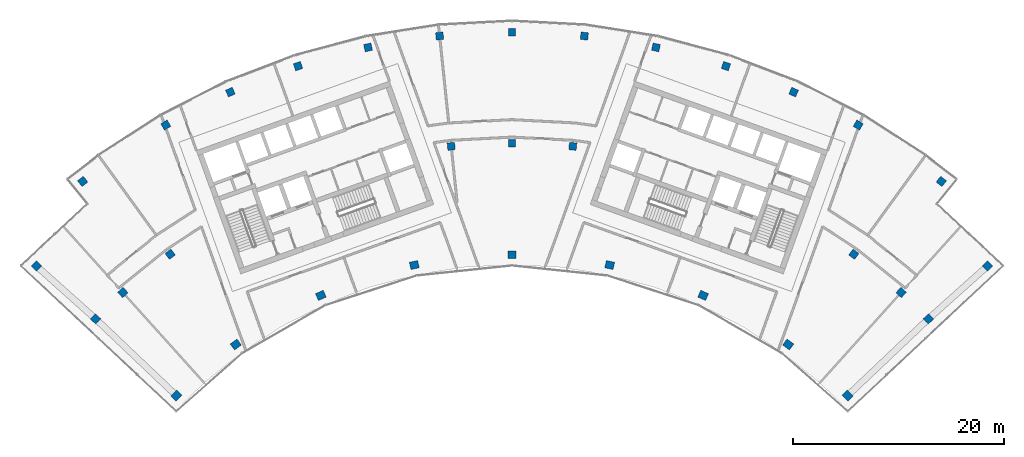
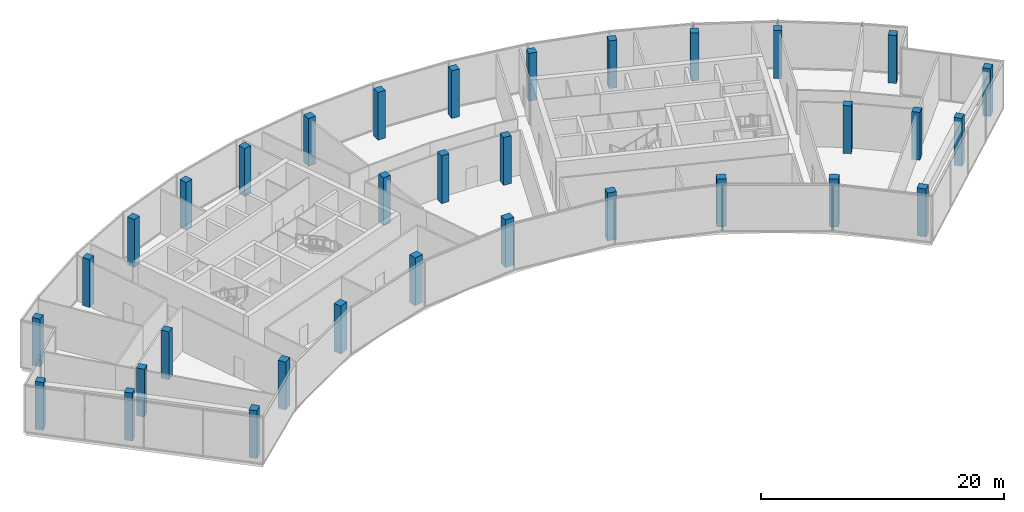
# One storey, part 1 of 17: 33 columns.
"""IFC4 building model written with IfcOpenShell, lengths in metres."""

import ifcopenshell
import ifcopenshell.guid

model = None  # the IFC model being written
_history = None  # IfcOwnerHistory: only IFC2X3 demands one
_inside = {}  # id of a spatial element -> (the spatial element, [elements in it])
_under = {}  # id of a project, library or spatial element -> (it, [spatial elements below it])
_declared = {}  # id of a project -> (the project, [libraries it declares])
_typed = {}  # id of a type object -> (the type object, [elements of that type])
_made_of = {}  # id of a material, layer set ... -> (it, [elements and type objects made of it])


def new_model(schema):
    """Start an empty IFC model of exactly this schema.

    Asked for "IFC4X3", IfcOpenShell would pick the latest addendum, in which some entities
    have other attributes; the version numbers below select the first issue.
    IFC2X3 requires an IfcOwnerHistory on every rooted entity: one is made here for all.
    """
    global model, _history
    if schema == "IFC4X3":
        model = ifcopenshell.file(schema_version=(4, 3, 0, 0))
    else:
        model = ifcopenshell.file(schema=schema)
    _inside.clear()
    _under.clear()
    _declared.clear()
    _typed.clear()
    _made_of.clear()
    _history = None
    if model.schema == "IFC2X3":
        org = make("IfcOrganization", Name="unknown")
        user = make(
            "IfcPersonAndOrganization",
            ThePerson=make("IfcPerson", FamilyName="unknown"),
            TheOrganization=org,
        )
        app = make(
            "IfcApplication",
            ApplicationDeveloper=org,
            Version="unknown",
            ApplicationFullName="unknown",
            ApplicationIdentifier="unknown",
        )
        _history = make(
            "IfcOwnerHistory",
            OwningUser=user,
            OwningApplication=app,
            ChangeAction="ADDED",
            CreationDate=0,
        )
    return model


def make(cls, **values):
    """One entity of the class cls with the attributes given. An attribute that is None is left unset."""
    return model.create_entity(
        cls, **{name: value for name, value in values.items() if value is not None}
    )


def rooted(cls, **values):
    """An entity with a GlobalId (a new one), such as an element, a storey or a relation."""
    return make(cls, GlobalId=ifcopenshell.guid.new(), OwnerHistory=_history, **values)


def si_unit(unit_type, name, prefix=None):
    """IfcSIUnit, for example si_unit("LENGTHUNIT", "METRE", prefix="MILLI")."""
    return make("IfcSIUnit", UnitType=unit_type, Prefix=prefix, Name=name)


def assignment(units):
    """IfcUnitAssignment: the units of a project."""
    return None if units is None else make("IfcUnitAssignment", Units=units)


def point(xyz):
    """IfcCartesianPoint."""
    return None if xyz is None else make("IfcCartesianPoint", Coordinates=xyz)


def direction(xyz):
    """IfcDirection."""
    return None if xyz is None else make("IfcDirection", DirectionRatios=xyz)


def frame(location, z_axis=None, x_axis=None):
    """IfcAxis2Placement3D, a coordinate frame: its origin and axes. An axis left out is left unset."""
    return make(
        "IfcAxis2Placement3D",
        Location=point(location),
        Axis=direction(z_axis),
        RefDirection=direction(x_axis),
    )


def frame_2d(location, x_axis=None):
    """IfcAxis2Placement2D, a coordinate frame in the plane: its origin and x axis."""
    return make(
        "IfcAxis2Placement2D", Location=point(location), RefDirection=direction(x_axis)
    )


def origin():
    """The frame at (0, 0, 0) with its axes left unset."""
    return frame((0.0, 0.0, 0.0))


def origin_2d():
    """The frame at (0, 0) in the plane with its x axis left unset."""
    return frame_2d((0.0, 0.0))


def place(relative_to, where):
    """IfcLocalPlacement: puts the frame where relative to a parent placement (None: the world)."""
    return make(
        "IfcLocalPlacement", PlacementRelTo=relative_to, RelativePlacement=where
    )


def context(
    kind, dimensions, precision=None, world=None, true_north=None, identifier=None
):
    """IfcGeometricRepresentationContext, for example the 3D "Model" context."""
    return make(
        "IfcGeometricRepresentationContext",
        ContextIdentifier=identifier,
        ContextType=kind,
        CoordinateSpaceDimension=dimensions,
        Precision=precision,
        WorldCoordinateSystem=world,
        TrueNorth=true_north,
    )


def subcontext(parent, identifier, kind, view, scale=None):
    """IfcGeometricRepresentationSubContext, for example "Body" below "Model"."""
    return make(
        "IfcGeometricRepresentationSubContext",
        ContextIdentifier=identifier,
        ContextType=kind,
        ParentContext=parent,
        TargetScale=scale,
        TargetView=view,
    )


def project(units=None, contexts=None):
    """IfcProject with its units and contexts."""
    return rooted(
        "IfcProject",
        Name="project",
        RepresentationContexts=contexts,
        UnitsInContext=assignment(units),
    )


def spatial(cls, under=None, at=None, **own):
    """A site, building, storey or space (cls), placed at a placement, below another one or the project."""
    s = rooted(cls, ObjectPlacement=at, **own)
    if under is not None:
        _under.setdefault(under.id(), (under, []))[1].append(s)
    return s


def profile(cls, at=None, kind="AREA", **sizes):
    """A parametric profile (cls). Its sizes go by their IFC names, for example OverallWidth=200.0."""
    return make(cls, ProfileType=kind, Position=at, **sizes)


def rectangle(**sizes):
    """IfcRectangleProfileDef."""
    return profile("IfcRectangleProfileDef", **sizes)


def extrude(swept, where, along, depth):
    """IfcExtrudedAreaSolid: the profile swept, set in the frame where, extruded along a direction by depth."""
    return make(
        "IfcExtrudedAreaSolid",
        SweptArea=swept,
        Position=where,
        ExtrudedDirection=direction(along),
        Depth=depth,
    )


def shape(context_of_items, identifier, shape_type, items):
    """IfcShapeRepresentation: the items that make up one representation, for example the "Body"."""
    return make(
        "IfcShapeRepresentation",
        ContextOfItems=context_of_items,
        RepresentationIdentifier=identifier,
        RepresentationType=shape_type,
        Items=items,
    )


def material(Name=None, Category=None):
    """IfcMaterial."""
    return make("IfcMaterial", Name=Name, Category=Category)


def material_profile(
    of_material, cross_section, Name=None, Category=None, Priority=None
):
    """IfcMaterialProfile: a cross section and its material."""
    return make(
        "IfcMaterialProfile",
        Name=Name,
        Material=of_material,
        Profile=cross_section,
        Priority=Priority,
        Category=Category,
    )


def profile_set(profiles, Name=None, composite=None):
    """IfcMaterialProfileSet."""
    return make(
        "IfcMaterialProfileSet",
        Name=Name,
        MaterialProfiles=profiles,
        CompositeProfile=composite,
    )


def made_of(thing, what):
    """Note that an element or type object is made of a material, layer set ...; save() writes the relation."""
    if what is not None:
        _made_of.setdefault(what.id(), (what, []))[1].append(thing)
    return thing


def type_object(cls, material=None, **own):
    """A type object (cls), such as IfcWallType, which elements share."""
    return made_of(rooted(cls, **own), material)


def element(
    cls,
    number,
    at=None,
    inside=None,
    cuts=None,
    type_object=None,
    material=None,
    context=None,
    identifier="Body",
    shape_type=None,
    held_by="IfcProductDefinitionShape",
    body=None,
    shapes=None,
    **own,
):
    """One element of the class cls, such as IfcWall. Its Tag is "e" and its number.

    at: its placement. inside: the storey or other place that contains it. cuts: it is an
    opening in that element (IfcRelVoidsElement). A single representation is given by context,
    identifier, shape_type and body (its items); several are given by shapes. held_by: the class
    of the entity that holds the representations. save() writes the other relations.
    """
    e = rooted(cls, Tag="e%d" % number, ObjectPlacement=at, **own)
    if body is not None:
        shapes = [shape(context, identifier, shape_type, body)]
    if shapes is not None:
        e.Representation = make(held_by, Representations=shapes)
    if inside is not None:
        _inside.setdefault(inside.id(), (inside, []))[1].append(e)
    if cuts is not None:
        rooted(
            "IfcRelVoidsElement", RelatingBuildingElement=cuts, RelatedOpeningElement=e
        )
    if type_object is not None:
        _typed.setdefault(type_object.id(), (type_object, []))[1].append(e)
    return made_of(e, material)


def aggregate(whole, parts):
    """IfcRelAggregates: a whole, such as a stair, and the parts it consists of."""
    return rooted("IfcRelAggregates", RelatingObject=whole, RelatedObjects=parts)


def save(model, path):
    """Write the relations noted so far, then the file.

    IfcRelAggregates (storeys below a building ...), IfcRelContainedInSpatialStructure (elements
    in a storey), IfcRelDefinesByType, IfcRelAssociatesMaterial and IfcRelDeclares: one each for
    every whole, place, type object, material and project.
    """
    for whole, parts in _under.values():
        aggregate(whole, parts)
    for where, things in _inside.values():
        rooted(
            "IfcRelContainedInSpatialStructure",
            RelatedElements=things,
            RelatingStructure=where,
        )
    for kind, things in _typed.values():
        rooted("IfcRelDefinesByType", RelatedObjects=things, RelatingType=kind)
    for what, things in _made_of.values():
        rooted("IfcRelAssociatesMaterial", RelatedObjects=things, RelatingMaterial=what)
    for by, libraries in _declared.values():
        rooted("IfcRelDeclares", RelatingContext=by, RelatedDefinitions=libraries)
    model.write(path)


model = new_model("IFC4")

# Units and contexts
model_context = context("Model", 3, precision=1e-05, world=origin(), true_north=direction((0.0, 1.0)))
body_context = subcontext(model_context, "Body", "Model", "MODEL_VIEW")
ifc_project = project(units=[si_unit("LENGTHUNIT", "METRE"), si_unit("AREAUNIT", "SQUARE_METRE"), si_unit("VOLUMEUNIT", "CUBIC_METRE"), si_unit("PLANEANGLEUNIT", "RADIAN"), si_unit("MASSUNIT", "GRAM", prefix="KILO")], contexts=[model_context])

# Site, building, storey
site_placement = place(None, origin())
site = spatial("IfcSite", under=ifc_project, at=site_placement, CompositionType="ELEMENT")
building_placement = place(site_placement, origin())
building = spatial("IfcBuilding", under=site, at=building_placement, Name="Stone Belt Terrace Tower", CompositionType="ELEMENT")
storey_placement = place(building_placement, frame((0.0, 0.0, 313.39990234375)))
storey = spatial("IfcBuildingStorey", under=building, at=storey_placement, Name="L76", CompositionType="ELEMENT", Elevation=313.39990234375)

# Columns
ifc_material = material(Name="Concrete B60", Category="concrete")
ifc_material_profile_1 = material_profile(ifc_material, rectangle(XDim=0.699951171875, YDim=0.699951171875, at=origin_2d()), Name="RC 700x700")
ifc_profile_set_1 = profile_set([ifc_material_profile_1], Name="Concrete B60")
column_type_1 = type_object("IfcColumnType", Name="Column RC 700x700 B60", PredefinedType="COLUMN", material=ifc_profile_set_1)
for number, where, z_axis, x_axis, name in (
    (1, (-39.38818359375, 38.386962890625, 0.0), (0.0, 0.0, 1.0), (0.697944216238, 0.716152128406, 0.0), "Column L76 QA"),
    (2, (-36.80224609375, 40.873046875, 0.0), (0.0, 0.0, 1.0), (0.743144825477, 0.669130606359, 0.0), "Column L76 Q15"),
    (3, (-32.328125, 44.495849609375, 0.0), (0.0, 0.0, 1.0), (0.809016994375, 0.587785252292, 0.0), "Column L76 Q16"),
    (4, (-5.7490234375, 54.69873046875, 0.0), (0.0, 0.0, 1.0), (0.994521895368, 0.104528463268, 0.0), "Column L76 Q21"),
    (5, (0.0, 55.0, 0.0), (0.0, 0.0, 1.0), (1.0, 0.0, 0.0), "Column L76 Q22"),
    (6, (5.7490234375, 54.69873046875, 0.0), (0.0, 0.0, 1.0), (0.994521895368, -0.104528463268, 0.0), "Column L76 Q23"),
    (7, (32.328125, 44.495849609375, 0.0), (0.0, 0.0, 1.0), (0.809016994375, -0.587785252292, 0.0), "Column L76 Q28"),
    (8, (36.80224609375, 40.873046875, 0.0), (0.0, 0.0, 1.0), (0.743144825477, -0.669130606359, 0.0), "Column L76 Q29"),
    (9, (39.38818359375, 38.386962890625, 0.0), (0.0, 0.0, 1.0), (0.697944216238, -0.716152128406, 0.0), "Column L76 QB"),
    (10, (-44.97705078125, 43.381103515625, 0.0), (0.0, 0.0, 1.0), (0.694221333646, 0.719761585465, 0.0), "Column L76 RA"),
    (11, (44.97705078125, 43.381103515625, 0.0), (0.0, 0.0, 1.0), (0.694221333646, -0.719761585465, 0.0), "Column L76 RB"),
    (12, (-40.605712890625, 51.380615234375, 0.0), (0.0, 0.0, 1.0), (0.784569718703, 0.620040608746, 0.0), "Column L76 RNA"),
    (13, (-32.744384765625, 56.715087890625, 0.0), (0.0, 0.0, 1.0), (0.866025403784, 0.5, 0.0), "Column L76 R17"),
    (14, (-26.63671875, 59.8271484375, 0.0), (0.0, 0.0, 1.0), (0.913545457643, 0.406736643076, 0.0), "Column L76 R18"),
    (15, (-20.2373046875, 62.28369140625, 0.0), (0.0, 0.0, 1.0), (0.951056516295, 0.309016994375, 0.0), "Column L76 R19"),
    (16, (-13.615966796875, 64.057861328125, 0.0), (0.0, 0.0, 1.0), (0.978147600734, 0.207911690818, 0.0), "Column L76 R20"),
    (17, (-6.845458984375, 65.130126953125, 0.0), (0.0, 0.0, 1.0), (0.994521895368, 0.104528463268, 0.0), "Column L76 R21"),
    (18, (0.0, 65.489013671875, 0.0), (0.0, 0.0, 1.0), (1.0, 0.0, 0.0), "Column L76 R22"),
    (19, (6.845458984375, 65.130126953125, 0.0), (0.0, 0.0, 1.0), (0.994521895368, -0.104528463268, 0.0), "Column L76 R23"),
    (20, (13.615966796875, 64.057861328125, 0.0), (0.0, 0.0, 1.0), (0.978147600734, -0.207911690818, 0.0), "Column L76 R24"),
    (21, (20.2373046875, 62.28369140625, 0.0), (0.0, 0.0, 1.0), (0.951056516295, -0.309016994375, 0.0), "Column L76 R25"),
    (22, (26.63671875, 59.8271484375, 0.0), (0.0, 0.0, 1.0), (0.913545457643, -0.406736643076, 0.0), "Column L76 R26"),
    (23, (32.744384765625, 56.715087890625, 0.0), (0.0, 0.0, 1.0), (0.866025403784, -0.5, 0.0), "Column L76 R27"),
    (24, (40.605712890625, 51.380615234375, 0.0), (0.0, 0.0, 1.0), (0.784569718703, -0.620040608746, 0.0), "Column L76 RNB"),
):
    element("IfcColumn", number, at=place(storey_placement, frame(where, z_axis=z_axis, x_axis=x_axis)), inside=storey, type_object=column_type_1, Name=name, PredefinedType="COLUMN", context=body_context, shape_type="SweptSolid", body=[
        extrude(rectangle(XDim=0.699951171875, YDim=0.699951171875, at=origin_2d()), origin(), (0.0, 0.0, 1.0), 4.800048828125),
    ])
ifc_material_profile_2 = material_profile(ifc_material, rectangle(XDim=0.800048828125, YDim=0.699951171875, at=origin_2d()), Name="RC 800x700")
ifc_profile_set_2 = profile_set([ifc_material_profile_2], Name="Concrete B60")
column_type_2 = type_object("IfcColumnType", Name="Column RC 800x700 B60", PredefinedType="COLUMN", material=ifc_profile_set_2)
for number, where, z_axis, x_axis, name in (
    (25, (-31.73486328125, 31.11669921875, 0.0), (0.0, 0.0, 1.0), (0.700119596097, 0.714025595592, 0.0), "Column L76 PA"),
    (26, (-26.1240234375, 35.956787109375, 0.0), (0.0, 0.0, 1.0), (0.809016994375, 0.587785252292, 0.0), "Column L76 P16"),
    (27, (-18.077392578125, 40.6025390625, 0.0), (0.0, 0.0, 1.0), (0.913545457643, 0.406736643076, 0.0), "Column L76 P18"),
    (28, (-9.240478515625, 43.473876953125, 0.0), (0.0, 0.0, 1.0), (0.978147600734, 0.207911690818, 0.0), "Column L76 P20"),
    (29, (0.0, 44.445068359375, 0.0), (0.0, 0.0, 1.0), (1.0, 0.0, 0.0), "Column L76 P22"),
    (30, (9.240478515625, 43.473876953125, 0.0), (0.0, 0.0, 1.0), (0.978147600734, -0.207911690818, 0.0), "Column L76 P24"),
    (31, (18.077392578125, 40.6025390625, 0.0), (0.0, 0.0, 1.0), (0.913545457643, -0.406736643076, 0.0), "Column L76 P26"),
    (32, (26.1240234375, 35.956787109375, 0.0), (0.0, 0.0, 1.0), (0.809016994375, -0.587785252292, 0.0), "Column L76 P28"),
    (33, (31.73486328125, 31.11669921875, 0.0), (0.0, 0.0, 1.0), (0.700119596097, -0.714025595592, 0.0), "Column L76 PB"),
):
    element("IfcColumn", number, at=place(storey_placement, frame(where, z_axis=z_axis, x_axis=x_axis)), inside=storey, type_object=column_type_2, Name=name, PredefinedType="COLUMN", context=body_context, shape_type="SweptSolid", body=[
        extrude(rectangle(XDim=0.800048828125, YDim=0.699951171875, at=origin_2d()), origin(), (0.0, 0.0, 1.0), 4.800048828125),
    ])

save(model, "model.ifc")
